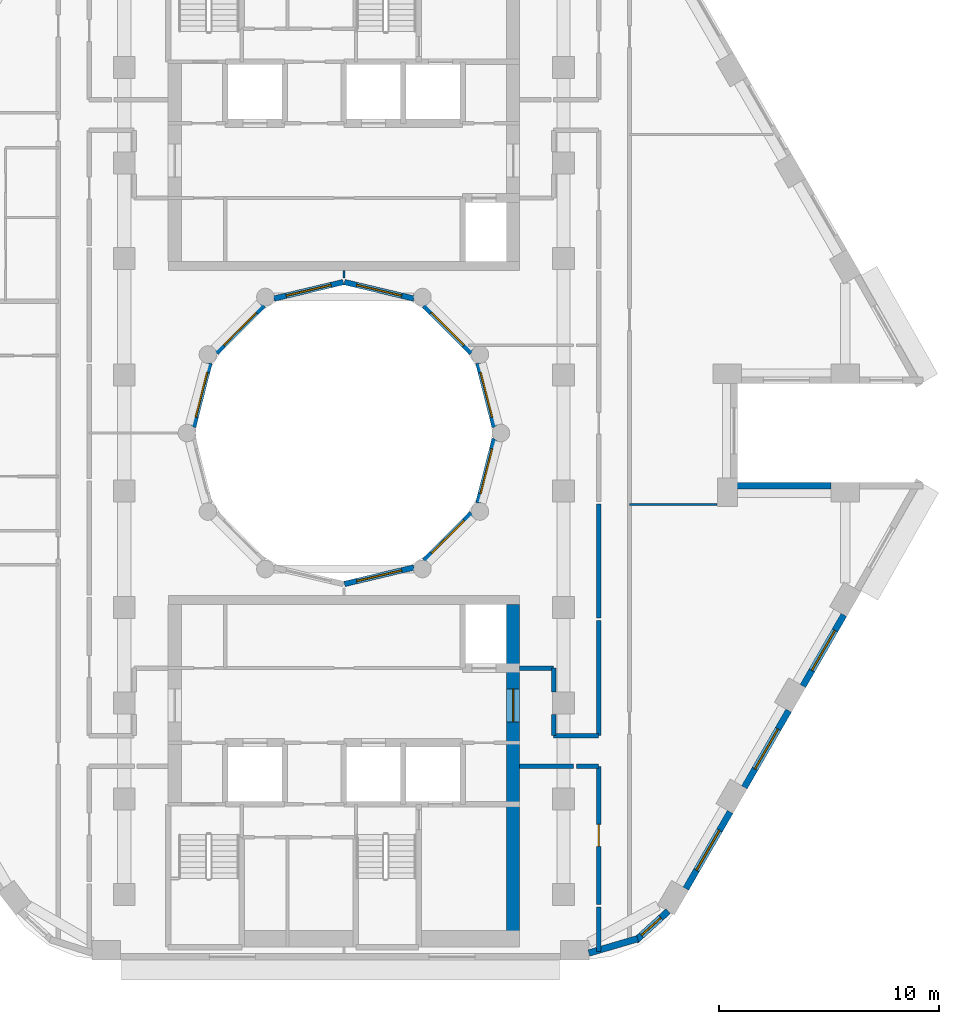
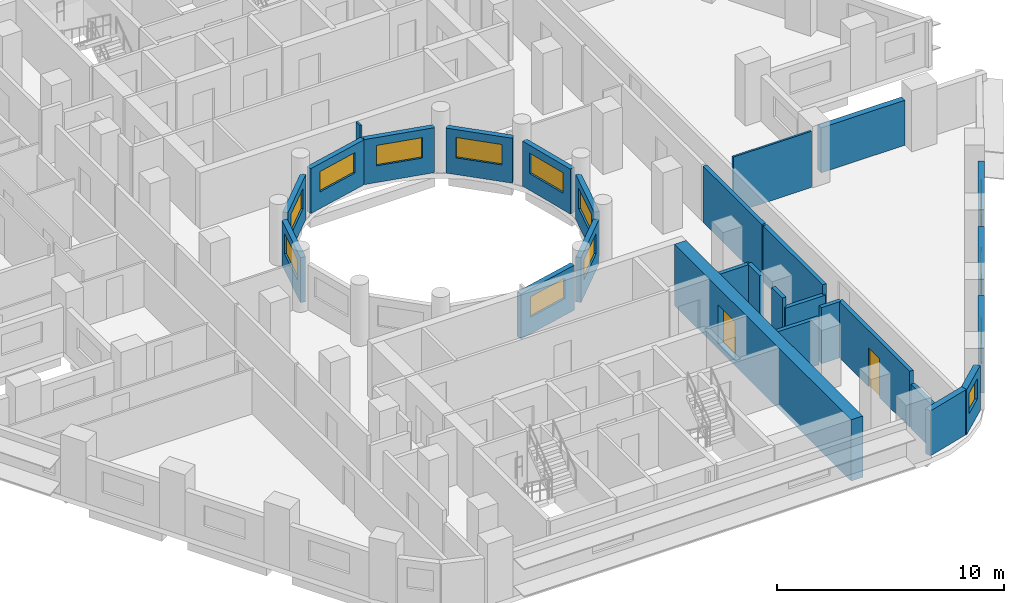
# One storey, part 5 of 13: 28 walls, 13 windows, 2 doors, 15 openings.
"""IFC4 building model written with IfcOpenShell, lengths in metres."""

import ifcopenshell
import ifcopenshell.guid

model = None  # the IFC model being written
_history = None  # IfcOwnerHistory: only IFC2X3 demands one
_inside = {}  # id of a spatial element -> (the spatial element, [elements in it])
_under = {}  # id of a project, library or spatial element -> (it, [spatial elements below it])
_declared = {}  # id of a project -> (the project, [libraries it declares])
_typed = {}  # id of a type object -> (the type object, [elements of that type])
_made_of = {}  # id of a material, layer set ... -> (it, [elements and type objects made of it])


def new_model(schema):
    """Start an empty IFC model of exactly this schema.

    Asked for "IFC4X3", IfcOpenShell would pick the latest addendum, in which some entities
    have other attributes; the version numbers below select the first issue.
    IFC2X3 requires an IfcOwnerHistory on every rooted entity: one is made here for all.
    """
    global model, _history
    if schema == "IFC4X3":
        model = ifcopenshell.file(schema_version=(4, 3, 0, 0))
    else:
        model = ifcopenshell.file(schema=schema)
    _inside.clear()
    _under.clear()
    _declared.clear()
    _typed.clear()
    _made_of.clear()
    _history = None
    if model.schema == "IFC2X3":
        org = make("IfcOrganization", Name="unknown")
        user = make(
            "IfcPersonAndOrganization",
            ThePerson=make("IfcPerson", FamilyName="unknown"),
            TheOrganization=org,
        )
        app = make(
            "IfcApplication",
            ApplicationDeveloper=org,
            Version="unknown",
            ApplicationFullName="unknown",
            ApplicationIdentifier="unknown",
        )
        _history = make(
            "IfcOwnerHistory",
            OwningUser=user,
            OwningApplication=app,
            ChangeAction="ADDED",
            CreationDate=0,
        )
    return model


def make(cls, **values):
    """One entity of the class cls with the attributes given. An attribute that is None is left unset."""
    return model.create_entity(
        cls, **{name: value for name, value in values.items() if value is not None}
    )


def rooted(cls, **values):
    """An entity with a GlobalId (a new one), such as an element, a storey or a relation."""
    return make(cls, GlobalId=ifcopenshell.guid.new(), OwnerHistory=_history, **values)


def si_unit(unit_type, name, prefix=None):
    """IfcSIUnit, for example si_unit("LENGTHUNIT", "METRE", prefix="MILLI")."""
    return make("IfcSIUnit", UnitType=unit_type, Prefix=prefix, Name=name)


def assignment(units):
    """IfcUnitAssignment: the units of a project."""
    return None if units is None else make("IfcUnitAssignment", Units=units)


def point(xyz):
    """IfcCartesianPoint."""
    return None if xyz is None else make("IfcCartesianPoint", Coordinates=xyz)


def direction(xyz):
    """IfcDirection."""
    return None if xyz is None else make("IfcDirection", DirectionRatios=xyz)


def frame(location, z_axis=None, x_axis=None):
    """IfcAxis2Placement3D, a coordinate frame: its origin and axes. An axis left out is left unset."""
    return make(
        "IfcAxis2Placement3D",
        Location=point(location),
        Axis=direction(z_axis),
        RefDirection=direction(x_axis),
    )


def frame_2d(location, x_axis=None):
    """IfcAxis2Placement2D, a coordinate frame in the plane: its origin and x axis."""
    return make(
        "IfcAxis2Placement2D", Location=point(location), RefDirection=direction(x_axis)
    )


def origin():
    """The frame at (0, 0, 0) with its axes left unset."""
    return frame((0.0, 0.0, 0.0))


def place(relative_to, where):
    """IfcLocalPlacement: puts the frame where relative to a parent placement (None: the world)."""
    return make(
        "IfcLocalPlacement", PlacementRelTo=relative_to, RelativePlacement=where
    )


def context(
    kind, dimensions, precision=None, world=None, true_north=None, identifier=None
):
    """IfcGeometricRepresentationContext, for example the 3D "Model" context."""
    return make(
        "IfcGeometricRepresentationContext",
        ContextIdentifier=identifier,
        ContextType=kind,
        CoordinateSpaceDimension=dimensions,
        Precision=precision,
        WorldCoordinateSystem=world,
        TrueNorth=true_north,
    )


def subcontext(parent, identifier, kind, view, scale=None):
    """IfcGeometricRepresentationSubContext, for example "Body" below "Model"."""
    return make(
        "IfcGeometricRepresentationSubContext",
        ContextIdentifier=identifier,
        ContextType=kind,
        ParentContext=parent,
        TargetScale=scale,
        TargetView=view,
    )


def project(units=None, contexts=None):
    """IfcProject with its units and contexts."""
    return rooted(
        "IfcProject",
        Name="project",
        RepresentationContexts=contexts,
        UnitsInContext=assignment(units),
    )


def spatial(cls, under=None, at=None, **own):
    """A site, building, storey or space (cls), placed at a placement, below another one or the project."""
    s = rooted(cls, ObjectPlacement=at, **own)
    if under is not None:
        _under.setdefault(under.id(), (under, []))[1].append(s)
    return s


def profile(cls, at=None, kind="AREA", **sizes):
    """A parametric profile (cls). Its sizes go by their IFC names, for example OverallWidth=200.0."""
    return make(cls, ProfileType=kind, Position=at, **sizes)


def rectangle(**sizes):
    """IfcRectangleProfileDef."""
    return profile("IfcRectangleProfileDef", **sizes)


def extrude(swept, where, along, depth):
    """IfcExtrudedAreaSolid: the profile swept, set in the frame where, extruded along a direction by depth."""
    return make(
        "IfcExtrudedAreaSolid",
        SweptArea=swept,
        Position=where,
        ExtrudedDirection=direction(along),
        Depth=depth,
    )


def shape(context_of_items, identifier, shape_type, items):
    """IfcShapeRepresentation: the items that make up one representation, for example the "Body"."""
    return make(
        "IfcShapeRepresentation",
        ContextOfItems=context_of_items,
        RepresentationIdentifier=identifier,
        RepresentationType=shape_type,
        Items=items,
    )


def material(Name=None, Category=None):
    """IfcMaterial."""
    return make("IfcMaterial", Name=Name, Category=Category)


def layer(
    of_material, thickness, ventilated=None, Name=None, Category=None, Priority=None
):
    """IfcMaterialLayer: one layer of a wall or slab, of a material (None: an air gap)."""
    return make(
        "IfcMaterialLayer",
        Material=of_material,
        LayerThickness=thickness,
        IsVentilated=ventilated,
        Name=Name,
        Category=Category,
        Priority=Priority,
    )


def layer_set(layers, Name=None):
    """IfcMaterialLayerSet."""
    return make("IfcMaterialLayerSet", MaterialLayers=layers, LayerSetName=Name)


def made_of(thing, what):
    """Note that an element or type object is made of a material, layer set ...; save() writes the relation."""
    if what is not None:
        _made_of.setdefault(what.id(), (what, []))[1].append(thing)
    return thing


def type_object(cls, material=None, **own):
    """A type object (cls), such as IfcWallType, which elements share."""
    return made_of(rooted(cls, **own), material)


def element(
    cls,
    number,
    at=None,
    inside=None,
    cuts=None,
    type_object=None,
    material=None,
    context=None,
    identifier="Body",
    shape_type=None,
    held_by="IfcProductDefinitionShape",
    body=None,
    shapes=None,
    **own,
):
    """One element of the class cls, such as IfcWall. Its Tag is "e" and its number.

    at: its placement. inside: the storey or other place that contains it. cuts: it is an
    opening in that element (IfcRelVoidsElement). A single representation is given by context,
    identifier, shape_type and body (its items); several are given by shapes. held_by: the class
    of the entity that holds the representations. save() writes the other relations.
    """
    e = rooted(cls, Tag="e%d" % number, ObjectPlacement=at, **own)
    if body is not None:
        shapes = [shape(context, identifier, shape_type, body)]
    if shapes is not None:
        e.Representation = make(held_by, Representations=shapes)
    if inside is not None:
        _inside.setdefault(inside.id(), (inside, []))[1].append(e)
    if cuts is not None:
        rooted(
            "IfcRelVoidsElement", RelatingBuildingElement=cuts, RelatedOpeningElement=e
        )
    if type_object is not None:
        _typed.setdefault(type_object.id(), (type_object, []))[1].append(e)
    return made_of(e, material)


def fill(opening, filler):
    """IfcRelFillsElement: the door or window that sits in an opening."""
    return rooted(
        "IfcRelFillsElement",
        RelatingOpeningElement=opening,
        RelatedBuildingElement=filler,
    )


def aggregate(whole, parts):
    """IfcRelAggregates: a whole, such as a stair, and the parts it consists of."""
    return rooted("IfcRelAggregates", RelatingObject=whole, RelatedObjects=parts)


def save(model, path):
    """Write the relations noted so far, then the file.

    IfcRelAggregates (storeys below a building ...), IfcRelContainedInSpatialStructure (elements
    in a storey), IfcRelDefinesByType, IfcRelAssociatesMaterial and IfcRelDeclares: one each for
    every whole, place, type object, material and project.
    """
    for whole, parts in _under.values():
        aggregate(whole, parts)
    for where, things in _inside.values():
        rooted(
            "IfcRelContainedInSpatialStructure",
            RelatedElements=things,
            RelatingStructure=where,
        )
    for kind, things in _typed.values():
        rooted("IfcRelDefinesByType", RelatedObjects=things, RelatingType=kind)
    for what, things in _made_of.values():
        rooted("IfcRelAssociatesMaterial", RelatedObjects=things, RelatingMaterial=what)
    for by, libraries in _declared.values():
        rooted("IfcRelDeclares", RelatingContext=by, RelatedDefinitions=libraries)
    model.write(path)


model = new_model("IFC4")

# Units and contexts
model_context = context("Model", 3, precision=1e-05, world=origin(), true_north=direction((0.0, 1.0)))
body_context = subcontext(model_context, "Body", "Model", "MODEL_VIEW")
ifc_project = project(units=[si_unit("LENGTHUNIT", "METRE"), si_unit("AREAUNIT", "SQUARE_METRE"), si_unit("VOLUMEUNIT", "CUBIC_METRE"), si_unit("PLANEANGLEUNIT", "RADIAN"), si_unit("MASSUNIT", "GRAM", prefix="KILO")], contexts=[model_context])

# Site, building, storey
site_placement = place(None, origin())
site = spatial("IfcSite", under=ifc_project, at=site_placement, CompositionType="ELEMENT")
building_placement = place(site_placement, origin())
building = spatial("IfcBuilding", under=site, at=building_placement, Name="Nakaniwa Court", CompositionType="ELEMENT")
storey_placement = place(building_placement, frame((0.0, 0.0, 137.10009765625)))
storey = spatial("IfcBuildingStorey", under=building, at=storey_placement, Name="L35", CompositionType="ELEMENT", Elevation=137.10009765625)

# Wall
ifc_material_1 = material(Name="Acoustic double stud partition")
ifc_layer_1 = layer(ifc_material_1, 0.199951171875)
ifc_layer_set_1 = layer_set([ifc_layer_1], Name="Acoustic double stud partition")
wall_type_1 = type_object("IfcWallType", Name="Acoustic double stud partition 200", PredefinedType="PARTITIONING", material=ifc_layer_set_1)
wall_1_placement = place(storey_placement, frame((91.60009765625, 56.40087890625, 0.0), z_axis=(0.0, 0.0, 1.0), x_axis=(0.0, 1.0, 0.0)))
element("IfcWall", 1, at=wall_1_placement, inside=storey, type_object=wall_type_1, Name="Partition PW-065", PredefinedType="PARTITIONING", context=body_context, shape_type="SweptSolid", body=[
    extrude(rectangle(XDim=2.02197265625, YDim=0.199951171875, at=frame_2d((1.010986328125, 0.0))), origin(), (0.0, 0.0, 1.0), 2.40478515625),
])

# Wall, opening, door
wall_2_placement = place(storey_placement, frame((91.60009765625, 58.537109375, 0.0), z_axis=(0.0, 0.0, 1.0), x_axis=(0.0, 1.0, 0.0)))
wall_2 = element("IfcWall", 2, at=wall_2_placement, inside=storey, type_object=wall_type_1, Name="Partition PW-066", PredefinedType="PARTITIONING", context=body_context, shape_type="SweptSolid", body=[
    extrude(rectangle(XDim=6.287841796875, YDim=0.199951171875, at=frame_2d((3.14404296875, 0.0))), origin(), (0.0, 0.0, 1.0), 3.02490234375),
])
opening_1_placement = place(wall_2_placement, frame((2.64501953125, 0.0, 0.0)))
opening_1 = element("IfcOpeningElement", 3, at=opening_1_placement, cuts=wall_2, Name="Opening D-02-01", PredefinedType="OPENING", context=body_context, shape_type="SweptSolid", body=[
    extrude(rectangle(XDim=1.0, YDim=2.10009765625, at=frame_2d((0.5, 1.050048828125))), frame((0.0, 0.10986328125, 0.0), z_axis=(0.0, -1.0, 0.0), x_axis=(1.0, 0.0, 0.0)), (0.0, 0.0, 1.0), 0.219970703125),
])
ifc_material_2 = material(Name="Solid core timber door set, black veneer", Category="wood")
door_type_1 = type_object("IfcDoorType", Name="Internal door 1000", OperationType="NOTDEFINED", PredefinedType="DOOR", material=ifc_material_2)
door_1_placement = place(opening_1_placement, origin())
door_1 = element("IfcDoor", 4, at=door_1_placement, inside=storey, type_object=door_type_1, Name="Door D-02-01 L35-021", OperationType="SINGLE_SWING_RIGHT", OverallHeight=2.10009765625, OverallWidth=1.0, PredefinedType="DOOR", context=body_context, shape_type="SweptSolid", body=[
    extrude(rectangle(XDim=1.0, YDim=2.10009765625, at=frame_2d((0.5, 1.050048828125))), frame((0.0, 0.02490234375, 0.0), z_axis=(0.0, -1.0, 0.0), x_axis=(1.0, 0.0, 0.0)), (0.0, 0.0, 1.0), 0.050048828125),
])
fill(opening_1, door_1)

# Walls
wall_3_placement = place(storey_placement, frame((91.60009765625, 66.22509765625, 0.0), z_axis=(0.0, 0.0, 1.0), x_axis=(0.0, 1.0, 0.0)))
element("IfcWall", 5, at=wall_3_placement, inside=storey, type_object=wall_type_1, Name="Partition PW-067", PredefinedType="PARTITIONING", context=body_context, shape_type="SweptSolid", body=[
    extrude(rectangle(XDim=5.247802734375, YDim=0.199951171875, at=frame_2d((2.6240234375, 0.0))), origin(), (0.0, 0.0, 1.0), 3.02490234375),
])
wall_4_placement = place(storey_placement, frame((91.60009765625, 71.587158203125, 0.0), z_axis=(0.0, 0.0, 1.0), x_axis=(0.0, 1.0, 0.0)))
element("IfcWall", 6, at=wall_4_placement, inside=storey, type_object=wall_type_1, Name="Partition PW-068", PredefinedType="PARTITIONING", context=body_context, shape_type="SweptSolid", body=[
    extrude(rectangle(XDim=5.185546875, YDim=0.199951171875, at=frame_2d((2.5927734375, 0.0))), origin(), (0.0, 0.0, 1.0), 3.02490234375),
])
wall_5_placement = place(storey_placement, frame((88.0, 64.824951171875, 0.0), z_axis=(0.0, 0.0, 1.0), x_axis=(1.0, 0.0, 0.0)))
element("IfcWall", 7, at=wall_5_placement, inside=storey, type_object=wall_type_1, Name="Partition PW-075", PredefinedType="PARTITIONING", context=body_context, shape_type="SweptSolid", body=[
    extrude(rectangle(XDim=2.462890625, YDim=0.199951171875, at=frame_2d((1.2314453125, 0.0))), origin(), (0.0, 0.0, 1.0), 2.5048828125),
])
wall_6_placement = place(storey_placement, frame((90.5771484375, 64.824951171875, 0.0), z_axis=(0.0, 0.0, 1.0), x_axis=(1.0, 0.0, 0.0)))
element("IfcWall", 8, at=wall_6_placement, inside=storey, type_object=wall_type_1, Name="Partition PW-076", PredefinedType="PARTITIONING", context=body_context, shape_type="SweptSolid", body=[
    extrude(rectangle(XDim=1.02294921875, YDim=0.199951171875, at=frame_2d((0.511474609375, 0.0))), origin(), (0.0, 0.0, 1.0), 3.02490234375),
])
wall_7_placement = place(storey_placement, frame((88.0, 69.300048828125, 0.0), z_axis=(0.0, 0.0, 1.0), x_axis=(1.0, 0.0, 0.0)))
element("IfcWall", 9, at=wall_7_placement, inside=storey, type_object=wall_type_1, Name="Partition PW-079", PredefinedType="PARTITIONING", context=body_context, shape_type="SweptSolid", body=[
    extrude(rectangle(XDim=1.550048828125, YDim=0.199951171875, at=frame_2d((0.77490234375, 0.0))), origin(), (0.0, 0.0, 1.0), 3.02490234375),
])
wall_8_placement = place(storey_placement, frame((89.550048828125, 66.22509765625, 0.0), z_axis=(0.0, 0.0, 1.0), x_axis=(0.0, 1.0, 0.0)))
element("IfcWall", 10, at=wall_8_placement, inside=storey, type_object=wall_type_1, Name="Partition PW-080", PredefinedType="PARTITIONING", context=body_context, shape_type="SweptSolid", body=[
    extrude(rectangle(XDim=0.957763671875, YDim=0.199951171875, at=frame_2d((0.47900390625, 0.0))), origin(), (0.0, 0.0, 1.0), 3.02490234375),
])
wall_9_placement = place(storey_placement, frame((89.550048828125, 68.21728515625, 0.0), z_axis=(0.0, 0.0, 1.0), x_axis=(0.0, 1.0, 0.0)))
element("IfcWall", 11, at=wall_9_placement, inside=storey, type_object=wall_type_1, Name="Partition PW-081", PredefinedType="PARTITIONING", context=body_context, shape_type="SweptSolid", body=[
    extrude(rectangle(XDim=1.082763671875, YDim=0.199951171875, at=frame_2d((0.54150390625, 0.0))), origin(), (0.0, 0.0, 1.0), 3.02490234375),
])
wall_10_placement = place(storey_placement, frame((89.550048828125, 66.22509765625, 0.0), z_axis=(0.0, 0.0, 1.0), x_axis=(1.0, 0.0, 0.0)))
element("IfcWall", 12, at=wall_10_placement, inside=storey, type_object=wall_type_1, Name="Partition PW-085", PredefinedType="PARTITIONING", context=body_context, shape_type="SweptSolid", body=[
    extrude(rectangle(XDim=2.050048828125, YDim=0.199951171875, at=frame_2d((1.02490234375, 0.0))), origin(), (0.0, 0.0, 1.0), 2.5048828125),
])
ifc_material_3 = material(Name="Charcoal ceramic cladding")
ifc_layer_2 = layer(ifc_material_3, 0.02, Name="Ceramic cladding")
ifc_material_4 = material(Name="Ventilated air cavity")
ifc_layer_3 = layer(ifc_material_4, 0.04, ventilated=True, Name="Ventilated cavity")
ifc_material_5 = material(Name="Mineral wool insulation")
ifc_layer_4 = layer(ifc_material_5, 0.1, Name="Insulation")
ifc_material_6 = material(Name="Cement bonded sheathing board")
ifc_layer_5 = layer(ifc_material_6, 0.012, Name="Sheathing")
ifc_material_7 = material(Name="Cold-formed galvanised stud frame with mineral wool infill")
ifc_layer_6 = layer(ifc_material_7, 0.1, Name="Stud frame")
ifc_material_8 = material(Name="Fire-rated gypsum plasterboard lining")
ifc_layer_7 = layer(ifc_material_8, 0.028, Name="Lining")
ifc_layer_set_2 = layer_set([ifc_layer_2, ifc_layer_3, ifc_layer_4, ifc_layer_5, ifc_layer_6, ifc_layer_7], Name="Charcoal ceramic faced external wall system")
wall_type_2 = type_object("IfcWallType", Name="Black ceramic faced external wall 300", PredefinedType="SOLIDWALL", material=ifc_layer_set_2)
wall_11_placement = place(storey_placement, frame((91.1533203125, 56.328125, 0.0), z_axis=(0.0, 0.0, 1.0), x_axis=(0.959473072336, 0.281800325517, 0.0)))
element("IfcWall", 13, at=wall_11_placement, inside=storey, type_object=wall_type_2, Name="L35 external wall 27", PredefinedType="SOLIDWALL", context=body_context, shape_type="SweptSolid", body=[
    extrude(rectangle(XDim=2.3115234375, YDim=0.300048828125, at=frame_2d((1.15576171875, 0.0))), origin(), (0.0, 0.0, 1.0), 2.4248046875),
])

# Wall, opening, window
wall_12_placement = place(storey_placement, frame((93.2783203125, 56.890380859375, 0.0), z_axis=(0.0, 0.0, 1.0), x_axis=(0.740652597499, 0.671888182526, 0.0)))
wall_12 = element("IfcWall", 14, at=wall_12_placement, inside=storey, type_object=wall_type_2, Name="L35 external wall 28", PredefinedType="SOLIDWALL", context=body_context, shape_type="SweptSolid", body=[
    extrude(rectangle(XDim=1.998779296875, YDim=0.300048828125, at=frame_2d((0.99951171875, 0.0))), origin(), (0.0, 0.0, 1.0), 2.4248046875),
])
opening_2_placement = place(wall_12_placement, frame((0.359619140625, 0.0, 0.89990234375)))
opening_2 = element("IfcOpeningElement", 15, at=opening_2_placement, cuts=wall_12, Name="Opening W6.29", PredefinedType="OPENING", context=body_context, shape_type="SweptSolid", body=[
    extrude(rectangle(XDim=1.199951171875, YDim=1.10009765625, at=frame_2d((0.60009765625, 0.550048828125))), frame((0.0, 0.159912109375, 0.0), z_axis=(0.0, -1.0, 0.0), x_axis=(1.0, 0.0, 0.0)), (0.0, 0.0, 1.0), 0.320068359375),
])
ifc_material_9 = material(Name="Black anodised aluminium frame with dark low-E laminated double glazing", Category="aluminium")
window_type_1 = type_object("IfcWindowType", Name="Dark glass window 1200x1100 sill 900", PartitioningType="SINGLE_PANEL", PredefinedType="WINDOW", material=ifc_material_9)
window_1_placement = place(opening_2_placement, origin())
window_1 = element("IfcWindow", 16, at=window_1_placement, inside=storey, type_object=window_type_1, Name="L35 habitable room window 28-0", OverallHeight=1.10009765625, OverallWidth=1.199951171875, PartitioningType="SINGLE_PANEL", PredefinedType="WINDOW", context=body_context, shape_type="SweptSolid", body=[
    extrude(rectangle(XDim=1.199951171875, YDim=1.10009765625, at=frame_2d((0.60009765625, 0.550048828125))), frame((0.0, 0.030029296875, 0.0), z_axis=(0.0, -1.0, 0.0), x_axis=(1.0, 0.0, 0.0)), (0.0, 0.0, 1.0), 0.06005859375),
])
fill(opening_2, window_1)

wall_13_placement = place(storey_placement, frame((95.565185546875, 59.260009765625, 0.0), z_axis=(0.0, 0.0, 1.0), x_axis=(0.500031546601, 0.86600718958, 0.0)))
wall_13 = element("IfcWall", 17, at=wall_13_placement, inside=storey, type_object=wall_type_2, Name="L35 external wall 29", PredefinedType="SOLIDWALL", context=body_context, shape_type="SweptSolid", body=[
    extrude(rectangle(XDim=4.033935546875, YDim=0.300048828125, at=frame_2d((2.01708984375, 0.0))), origin(), (0.0, 0.0, 1.0), 2.4248046875),
])
opening_3_placement = place(wall_13_placement, frame((0.967041015625, 0.0, 0.89990234375)))
opening_3 = element("IfcOpeningElement", 18, at=opening_3_placement, cuts=wall_13, Name="Opening W7.30", PredefinedType="OPENING", context=body_context, shape_type="SweptSolid", body=[
    extrude(rectangle(XDim=2.10009765625, YDim=1.10009765625, at=frame_2d((1.050048828125, 0.550048828125))), frame((0.0, 0.159912109375, 0.0), z_axis=(0.0, -1.0, 0.0), x_axis=(1.0, 0.0, 0.0)), (0.0, 0.0, 1.0), 0.320068359375),
])
window_type_2 = type_object("IfcWindowType", Name="Dark glass window 2100x1100 sill 900", PartitioningType="SINGLE_PANEL", PredefinedType="WINDOW", material=ifc_material_9)
window_2_placement = place(opening_3_placement, origin())
window_2 = element("IfcWindow", 19, at=window_2_placement, inside=storey, type_object=window_type_2, Name="L35 habitable room window 29-0", OverallHeight=1.10009765625, OverallWidth=2.10009765625, PartitioningType="SINGLE_PANEL", PredefinedType="WINDOW", context=body_context, shape_type="SweptSolid", body=[
    extrude(rectangle(XDim=2.10009765625, YDim=1.10009765625, at=frame_2d((1.050048828125, 0.550048828125))), frame((0.0, 0.030029296875, 0.0), z_axis=(0.0, -1.0, 0.0), x_axis=(1.0, 0.0, 0.0)), (0.0, 0.0, 1.0), 0.06005859375),
])
fill(opening_3, window_2)

wall_14_placement = place(storey_placement, frame((98.228271484375, 63.872314453125, 0.0), z_axis=(0.0, 0.0, 1.0), x_axis=(0.500031546601, 0.86600718958, 0.0)))
wall_14 = element("IfcWall", 20, at=wall_14_placement, inside=storey, type_object=wall_type_2, Name="L35 external wall 30", PredefinedType="SOLIDWALL", context=body_context, shape_type="SweptSolid", body=[
    extrude(rectangle(XDim=4.033935546875, YDim=0.300048828125, at=frame_2d((2.01708984375, 0.0))), origin(), (0.0, 0.0, 1.0), 2.4248046875),
])
opening_4_placement = place(wall_14_placement, frame((0.966796875, 0.0, 0.89990234375)))
opening_4 = element("IfcOpeningElement", 21, at=opening_4_placement, cuts=wall_14, Name="Opening W7.31", PredefinedType="OPENING", context=body_context, shape_type="SweptSolid", body=[
    extrude(rectangle(XDim=2.10009765625, YDim=1.10009765625, at=frame_2d((1.050048828125, 0.550048828125))), frame((0.0, 0.159912109375, 0.0), z_axis=(0.0, -1.0, 0.0), x_axis=(1.0, 0.0, 0.0)), (0.0, 0.0, 1.0), 0.320068359375),
])
window_3_placement = place(opening_4_placement, origin())
window_3 = element("IfcWindow", 22, at=window_3_placement, inside=storey, type_object=window_type_2, Name="L35 habitable room window 30-0", OverallHeight=1.10009765625, OverallWidth=2.10009765625, PartitioningType="SINGLE_PANEL", PredefinedType="WINDOW", context=body_context, shape_type="SweptSolid", body=[
    extrude(rectangle(XDim=2.10009765625, YDim=1.10009765625, at=frame_2d((1.050048828125, 0.550048828125))), frame((0.0, 0.030029296875, 0.0), z_axis=(0.0, -1.0, 0.0), x_axis=(1.0, 0.0, 0.0)), (0.0, 0.0, 1.0), 0.06005859375),
])
fill(opening_4, window_3)

wall_15_placement = place(storey_placement, frame((100.891357421875, 68.484619140625, 0.0), z_axis=(0.0, 0.0, 1.0), x_axis=(0.499933594891, 0.866063739398, 0.0)))
wall_15 = element("IfcWall", 23, at=wall_15_placement, inside=storey, type_object=wall_type_2, Name="L35 external wall 31", PredefinedType="SOLIDWALL", context=body_context, shape_type="SweptSolid", body=[
    extrude(rectangle(XDim=3.73681640625, YDim=0.300048828125, at=frame_2d((1.868408203125, 0.0))), origin(), (0.0, 0.0, 1.0), 2.4248046875),
])
opening_5_placement = place(wall_15_placement, frame((0.818359375, 0.0, 0.89990234375)))
opening_5 = element("IfcOpeningElement", 24, at=opening_5_placement, cuts=wall_15, Name="Opening W7.32", PredefinedType="OPENING", context=body_context, shape_type="SweptSolid", body=[
    extrude(rectangle(XDim=2.10009765625, YDim=1.10009765625, at=frame_2d((1.050048828125, 0.550048828125))), frame((0.0, 0.159912109375, 0.0), z_axis=(0.0, -1.0, 0.0), x_axis=(1.0, 0.0, 0.0)), (0.0, 0.0, 1.0), 0.320068359375),
])
window_4_placement = place(opening_5_placement, origin())
window_4 = element("IfcWindow", 25, at=window_4_placement, inside=storey, type_object=window_type_2, Name="L35 habitable room window 31-0", OverallHeight=1.10009765625, OverallWidth=2.10009765625, PartitioningType="SINGLE_PANEL", PredefinedType="WINDOW", context=body_context, shape_type="SweptSolid", body=[
    extrude(rectangle(XDim=2.10009765625, YDim=1.10009765625, at=frame_2d((1.050048828125, 0.550048828125))), frame((0.0, 0.030029296875, 0.0), z_axis=(0.0, -1.0, 0.0), x_axis=(1.0, 0.0, 0.0)), (0.0, 0.0, 1.0), 0.06005859375),
])
fill(opening_5, window_4)

# Wall
wall_16_placement = place(storey_placement, frame((102.177001953125, 77.60009765625, 0.0), z_axis=(0.0, 0.0, 1.0), x_axis=(-1.0, 0.0, 0.0)))
element("IfcWall", 26, at=wall_16_placement, inside=storey, type_object=wall_type_2, Name="L35 external wall 34", PredefinedType="SOLIDWALL", context=body_context, shape_type="SweptSolid", body=[
    extrude(rectangle(XDim=4.272705078125, YDim=0.300048828125, at=frame_2d((2.13623046875, 0.0))), origin(), (0.0, 0.0, 1.0), 2.4248046875),
])

# Wall, opening, window
ifc_layer_8 = layer(ifc_material_3, 0.02, Name="Ceramic cladding")
ifc_layer_9 = layer(ifc_material_4, 0.04, ventilated=True, Name="Ventilated cavity")
ifc_layer_10 = layer(ifc_material_5, 0.075, Name="Insulation")
ifc_layer_11 = layer(ifc_material_6, 0.012, Name="Sheathing")
ifc_layer_12 = layer(ifc_material_7, 0.075, Name="Stud frame")
ifc_layer_13 = layer(ifc_material_8, 0.028, Name="Lining")
ifc_layer_set_3 = layer_set([ifc_layer_8, ifc_layer_9, ifc_layer_10, ifc_layer_11, ifc_layer_12, ifc_layer_13], Name="Charcoal ceramic faced external wall system")
wall_type_3 = type_object("IfcWallType", Name="Charcoal ceramic faced well wall 250", PredefinedType="SOLIDWALL", material=ifc_layer_set_3)
wall_17_placement = place(storey_placement, frame((86.8603515625, 79.72998046875, 0.0), z_axis=(0.0, 0.0, 1.0), x_axis=(-0.247055971283, -0.969001211069, 0.0)))
wall_17 = element("IfcWall", 27, at=wall_17_placement, inside=storey, type_object=wall_type_3, Name="L35 external wall 36", PredefinedType="SOLIDWALL", context=body_context, shape_type="SweptSolid", body=[
    extrude(rectangle(XDim=3.010009765625, YDim=0.25, at=frame_2d((1.5048828125, 0.0))), origin(), (0.0, 0.0, 1.0), 2.4248046875),
])
opening_6_placement = place(wall_17_placement, frame((0.46875, 0.0, 0.89990234375)))
opening_6 = element("IfcOpeningElement", 28, at=opening_6_placement, cuts=wall_17, Name="Opening W7.35", PredefinedType="OPENING", context=body_context, shape_type="SweptSolid", body=[
    extrude(rectangle(XDim=2.10009765625, YDim=1.10009765625, at=frame_2d((1.050048828125, 0.550048828125))), frame((0.0, 0.135009765625, 0.0), z_axis=(0.0, -1.0, 0.0), x_axis=(1.0, 0.0, 0.0)), (0.0, 0.0, 1.0), 0.27001953125),
])
window_5_placement = place(opening_6_placement, origin())
window_5 = element("IfcWindow", 29, at=window_5_placement, inside=storey, type_object=window_type_2, Name="L35 habitable room window 36-0", OverallHeight=1.10009765625, OverallWidth=2.10009765625, PartitioningType="SINGLE_PANEL", PredefinedType="WINDOW", context=body_context, shape_type="SweptSolid", body=[
    extrude(rectangle(XDim=2.10009765625, YDim=1.10009765625, at=frame_2d((1.050048828125, 0.550048828125))), frame((0.0, 0.030029296875, 0.0), z_axis=(0.0, -1.0, 0.0), x_axis=(1.0, 0.0, 0.0)), (0.0, 0.0, 1.0), 0.06005859375),
])
fill(opening_6, window_5)

wall_18_placement = place(storey_placement, frame((85.8056640625, 76.339111328125, 0.0), z_axis=(0.0, 0.0, 1.0), x_axis=(-0.707106781187, -0.707106781187, 0.0)))
wall_18 = element("IfcWall", 30, at=wall_18_placement, inside=storey, type_object=wall_type_3, Name="L35 external wall 37", PredefinedType="SOLIDWALL", context=body_context, shape_type="SweptSolid", body=[
    extrude(rectangle(XDim=3.033203125, YDim=0.25, at=frame_2d((1.5166015625, 0.0))), origin(), (0.0, 0.0, 1.0), 2.4248046875),
])
opening_7_placement = place(wall_18_placement, frame((0.466552734375, 0.0, 0.89990234375)))
opening_7 = element("IfcOpeningElement", 31, at=opening_7_placement, cuts=wall_18, Name="Opening W7.36", PredefinedType="OPENING", context=body_context, shape_type="SweptSolid", body=[
    extrude(rectangle(XDim=2.10009765625, YDim=1.10009765625, at=frame_2d((1.050048828125, 0.550048828125))), frame((0.0, 0.135009765625, 0.0), z_axis=(0.0, -1.0, 0.0), x_axis=(1.0, 0.0, 0.0)), (0.0, 0.0, 1.0), 0.27001953125),
])
window_6_placement = place(opening_7_placement, origin())
window_6 = element("IfcWindow", 32, at=window_6_placement, inside=storey, type_object=window_type_2, Name="L35 habitable room window 37-0", OverallHeight=1.10009765625, OverallWidth=2.10009765625, PartitioningType="SINGLE_PANEL", PredefinedType="WINDOW", context=body_context, shape_type="SweptSolid", body=[
    extrude(rectangle(XDim=2.10009765625, YDim=1.10009765625, at=frame_2d((1.050048828125, 0.550048828125))), frame((0.0, 0.030029296875, 0.0), z_axis=(0.0, -1.0, 0.0), x_axis=(1.0, 0.0, 0.0)), (0.0, 0.0, 1.0), 0.06005859375),
])
fill(opening_7, window_6)

wall_19_placement = place(storey_placement, frame((83.186279296875, 73.880615234375, 0.0), z_axis=(0.0, 0.0, 1.0), x_axis=(-0.972773113459, -0.231759508395, 0.0)))
wall_19 = element("IfcWall", 33, at=wall_19_placement, inside=storey, type_object=wall_type_3, Name="L35 external wall 38", PredefinedType="SOLIDWALL", context=body_context, shape_type="SweptSolid", body=[
    extrude(rectangle(XDim=3.24560546875, YDim=0.25, at=frame_2d((1.622802734375, 0.0))), origin(), (0.0, 0.0, 1.0), 2.4248046875),
])
opening_8_placement = place(wall_19_placement, frame((0.57275390625, 0.0, 0.89990234375)))
opening_8 = element("IfcOpeningElement", 34, at=opening_8_placement, cuts=wall_19, Name="Opening W7.37", PredefinedType="OPENING", context=body_context, shape_type="SweptSolid", body=[
    extrude(rectangle(XDim=2.10009765625, YDim=1.10009765625, at=frame_2d((1.050048828125, 0.550048828125))), frame((0.0, 0.135009765625, 0.0), z_axis=(0.0, -1.0, 0.0), x_axis=(1.0, 0.0, 0.0)), (0.0, 0.0, 1.0), 0.27001953125),
])
window_7_placement = place(opening_8_placement, origin())
window_7 = element("IfcWindow", 35, at=window_7_placement, inside=storey, type_object=window_type_2, Name="L35 habitable room window 38-0", OverallHeight=1.10009765625, OverallWidth=2.10009765625, PartitioningType="SINGLE_PANEL", PredefinedType="WINDOW", context=body_context, shape_type="SweptSolid", body=[
    extrude(rectangle(XDim=2.10009765625, YDim=1.10009765625, at=frame_2d((1.050048828125, 0.550048828125))), frame((0.0, 0.030029296875, 0.0), z_axis=(0.0, -1.0, 0.0), x_axis=(1.0, 0.0, 0.0)), (0.0, 0.0, 1.0), 0.06005859375),
])
fill(opening_8, window_7)

wall_20_placement = place(storey_placement, frame((73.1396484375, 80.27001953125, 0.0), z_axis=(0.0, 0.0, 1.0), x_axis=(0.247055971283, 0.969001211069, 0.0)))
wall_20 = element("IfcWall", 36, at=wall_20_placement, inside=storey, type_object=wall_type_3, Name="L35 external wall 42", PredefinedType="SOLIDWALL", context=body_context, shape_type="SweptSolid", body=[
    extrude(rectangle(XDim=3.010009765625, YDim=0.25, at=frame_2d((1.5048828125, 0.0))), origin(), (0.0, 0.0, 1.0), 2.4248046875),
])
opening_9_placement = place(wall_20_placement, frame((0.46875, 0.0, 0.89990234375)))
opening_9 = element("IfcOpeningElement", 37, at=opening_9_placement, cuts=wall_20, Name="Opening W7.41", PredefinedType="OPENING", context=body_context, shape_type="SweptSolid", body=[
    extrude(rectangle(XDim=2.10009765625, YDim=1.10009765625, at=frame_2d((1.050048828125, 0.550048828125))), frame((0.0, 0.135009765625, 0.0), z_axis=(0.0, -1.0, 0.0), x_axis=(1.0, 0.0, 0.0)), (0.0, 0.0, 1.0), 0.27001953125),
])
window_8_placement = place(opening_9_placement, origin())
window_8 = element("IfcWindow", 38, at=window_8_placement, inside=storey, type_object=window_type_2, Name="L35 habitable room window 42-0", OverallHeight=1.10009765625, OverallWidth=2.10009765625, PartitioningType="SINGLE_PANEL", PredefinedType="WINDOW", context=body_context, shape_type="SweptSolid", body=[
    extrude(rectangle(XDim=2.10009765625, YDim=1.10009765625, at=frame_2d((1.050048828125, 0.550048828125))), frame((0.0, 0.030029296875, 0.0), z_axis=(0.0, -1.0, 0.0), x_axis=(1.0, 0.0, 0.0)), (0.0, 0.0, 1.0), 0.06005859375),
])
fill(opening_9, window_8)

wall_21_placement = place(storey_placement, frame((74.1943359375, 83.660888671875, 0.0), z_axis=(0.0, 0.0, 1.0), x_axis=(0.707106781187, 0.707106781187, 0.0)))
wall_21 = element("IfcWall", 39, at=wall_21_placement, inside=storey, type_object=wall_type_3, Name="L35 external wall 43", PredefinedType="SOLIDWALL", context=body_context, shape_type="SweptSolid", body=[
    extrude(rectangle(XDim=3.033203125, YDim=0.25, at=frame_2d((1.5166015625, 0.0))), origin(), (0.0, 0.0, 1.0), 2.4248046875),
])
opening_10_placement = place(wall_21_placement, frame((0.466552734375, 0.0, 0.89990234375)))
opening_10 = element("IfcOpeningElement", 40, at=opening_10_placement, cuts=wall_21, Name="Opening W7.42", PredefinedType="OPENING", context=body_context, shape_type="SweptSolid", body=[
    extrude(rectangle(XDim=2.10009765625, YDim=1.10009765625, at=frame_2d((1.050048828125, 0.550048828125))), frame((0.0, 0.135009765625, 0.0), z_axis=(0.0, -1.0, 0.0), x_axis=(1.0, 0.0, 0.0)), (0.0, 0.0, 1.0), 0.27001953125),
])
window_9_placement = place(opening_10_placement, origin())
window_9 = element("IfcWindow", 41, at=window_9_placement, inside=storey, type_object=window_type_2, Name="L35 habitable room window 43-0", OverallHeight=1.10009765625, OverallWidth=2.10009765625, PartitioningType="SINGLE_PANEL", PredefinedType="WINDOW", context=body_context, shape_type="SweptSolid", body=[
    extrude(rectangle(XDim=2.10009765625, YDim=1.10009765625, at=frame_2d((1.050048828125, 0.550048828125))), frame((0.0, 0.030029296875, 0.0), z_axis=(0.0, -1.0, 0.0), x_axis=(1.0, 0.0, 0.0)), (0.0, 0.0, 1.0), 0.06005859375),
])
fill(opening_10, window_9)

wall_22_placement = place(storey_placement, frame((76.813720703125, 86.119384765625, 0.0), z_axis=(0.0, 0.0, 1.0), x_axis=(0.972773113459, 0.231759508395, 0.0)))
wall_22 = element("IfcWall", 42, at=wall_22_placement, inside=storey, type_object=wall_type_3, Name="L35 external wall 44", PredefinedType="SOLIDWALL", context=body_context, shape_type="SweptSolid", body=[
    extrude(rectangle(XDim=3.24560546875, YDim=0.25, at=frame_2d((1.622802734375, 0.0))), origin(), (0.0, 0.0, 1.0), 2.4248046875),
])
opening_11_placement = place(wall_22_placement, frame((0.57275390625, 0.0, 0.89990234375)))
opening_11 = element("IfcOpeningElement", 43, at=opening_11_placement, cuts=wall_22, Name="Opening W7.43", PredefinedType="OPENING", context=body_context, shape_type="SweptSolid", body=[
    extrude(rectangle(XDim=2.10009765625, YDim=1.10009765625, at=frame_2d((1.050048828125, 0.550048828125))), frame((0.0, 0.135009765625, 0.0), z_axis=(0.0, -1.0, 0.0), x_axis=(1.0, 0.0, 0.0)), (0.0, 0.0, 1.0), 0.27001953125),
])
window_10_placement = place(opening_11_placement, origin())
window_10 = element("IfcWindow", 44, at=window_10_placement, inside=storey, type_object=window_type_2, Name="L35 habitable room window 44-0", OverallHeight=1.10009765625, OverallWidth=2.10009765625, PartitioningType="SINGLE_PANEL", PredefinedType="WINDOW", context=body_context, shape_type="SweptSolid", body=[
    extrude(rectangle(XDim=2.10009765625, YDim=1.10009765625, at=frame_2d((1.050048828125, 0.550048828125))), frame((0.0, 0.030029296875, 0.0), z_axis=(0.0, -1.0, 0.0), x_axis=(1.0, 0.0, 0.0)), (0.0, 0.0, 1.0), 0.06005859375),
])
fill(opening_11, window_10)

wall_23_placement = place(storey_placement, frame((80.029052734375, 86.87158203125, 0.0), z_axis=(0.0, 0.0, 1.0), x_axis=(0.972773113459, -0.231759508395, 0.0)))
wall_23 = element("IfcWall", 45, at=wall_23_placement, inside=storey, type_object=wall_type_3, Name="L35 external wall 45", PredefinedType="SOLIDWALL", context=body_context, shape_type="SweptSolid", body=[
    extrude(rectangle(XDim=3.24560546875, YDim=0.25, at=frame_2d((1.622802734375, 0.0))), origin(), (0.0, 0.0, 1.0), 2.4248046875),
])
opening_12_placement = place(wall_23_placement, frame((0.57275390625, 0.0, 0.89990234375)))
opening_12 = element("IfcOpeningElement", 46, at=opening_12_placement, cuts=wall_23, Name="Opening W7.44", PredefinedType="OPENING", context=body_context, shape_type="SweptSolid", body=[
    extrude(rectangle(XDim=2.10009765625, YDim=1.10009765625, at=frame_2d((1.050048828125, 0.550048828125))), frame((0.0, 0.135009765625, 0.0), z_axis=(0.0, -1.0, 0.0), x_axis=(1.0, 0.0, 0.0)), (0.0, 0.0, 1.0), 0.27001953125),
])
window_11_placement = place(opening_12_placement, origin())
window_11 = element("IfcWindow", 47, at=window_11_placement, inside=storey, type_object=window_type_2, Name="L35 habitable room window 45-0", OverallHeight=1.10009765625, OverallWidth=2.10009765625, PartitioningType="SINGLE_PANEL", PredefinedType="WINDOW", context=body_context, shape_type="SweptSolid", body=[
    extrude(rectangle(XDim=2.10009765625, YDim=1.10009765625, at=frame_2d((1.050048828125, 0.550048828125))), frame((0.0, 0.030029296875, 0.0), z_axis=(0.0, -1.0, 0.0), x_axis=(1.0, 0.0, 0.0)), (0.0, 0.0, 1.0), 0.06005859375),
])
fill(opening_12, window_11)

wall_24_placement = place(storey_placement, frame((83.660888671875, 85.8056640625, 0.0), z_axis=(0.0, 0.0, 1.0), x_axis=(0.707106781187, -0.707106781187, 0.0)))
wall_24 = element("IfcWall", 48, at=wall_24_placement, inside=storey, type_object=wall_type_3, Name="L35 external wall 46", PredefinedType="SOLIDWALL", context=body_context, shape_type="SweptSolid", body=[
    extrude(rectangle(XDim=3.033203125, YDim=0.25, at=frame_2d((1.5166015625, 0.0))), origin(), (0.0, 0.0, 1.0), 2.4248046875),
])
opening_13_placement = place(wall_24_placement, frame((0.452392578125, 0.0, 0.89990234375)))
opening_13 = element("IfcOpeningElement", 49, at=opening_13_placement, cuts=wall_24, Name="Opening W7.45", PredefinedType="OPENING", context=body_context, shape_type="SweptSolid", body=[
    extrude(rectangle(XDim=2.10009765625, YDim=1.10009765625, at=frame_2d((1.050048828125, 0.550048828125))), frame((0.0, 0.135009765625, 0.0), z_axis=(0.0, -1.0, 0.0), x_axis=(1.0, 0.0, 0.0)), (0.0, 0.0, 1.0), 0.27001953125),
])
window_12_placement = place(opening_13_placement, origin())
window_12 = element("IfcWindow", 50, at=window_12_placement, inside=storey, type_object=window_type_2, Name="L35 habitable room window 46-0", OverallHeight=1.10009765625, OverallWidth=2.10009765625, PartitioningType="SINGLE_PANEL", PredefinedType="WINDOW", context=body_context, shape_type="SweptSolid", body=[
    extrude(rectangle(XDim=2.10009765625, YDim=1.10009765625, at=frame_2d((1.050048828125, 0.550048828125))), frame((0.0, 0.030029296875, 0.0), z_axis=(0.0, -1.0, 0.0), x_axis=(1.0, 0.0, 0.0)), (0.0, 0.0, 1.0), 0.06005859375),
])
fill(opening_13, window_12)

wall_25_placement = place(storey_placement, frame((86.11669921875, 83.186767578125, 0.0), z_axis=(0.0, 0.0, 1.0), x_axis=(0.247055971283, -0.969001211069, 0.0)))
wall_25 = element("IfcWall", 51, at=wall_25_placement, inside=storey, type_object=wall_type_3, Name="L35 external wall 47", PredefinedType="SOLIDWALL", context=body_context, shape_type="SweptSolid", body=[
    extrude(rectangle(XDim=3.010009765625, YDim=0.25, at=frame_2d((1.5048828125, 0.0))), origin(), (0.0, 0.0, 1.0), 2.4248046875),
])
opening_14_placement = place(wall_25_placement, frame((0.441162109375, 0.0, 0.89990234375)))
opening_14 = element("IfcOpeningElement", 52, at=opening_14_placement, cuts=wall_25, Name="Opening W7.46", PredefinedType="OPENING", context=body_context, shape_type="SweptSolid", body=[
    extrude(rectangle(XDim=2.10009765625, YDim=1.10009765625, at=frame_2d((1.050048828125, 0.550048828125))), frame((0.0, 0.135009765625, 0.0), z_axis=(0.0, -1.0, 0.0), x_axis=(1.0, 0.0, 0.0)), (0.0, 0.0, 1.0), 0.27001953125),
])
window_13_placement = place(opening_14_placement, origin())
window_13 = element("IfcWindow", 53, at=window_13_placement, inside=storey, type_object=window_type_2, Name="L35 habitable room window 47-0", OverallHeight=1.10009765625, OverallWidth=2.10009765625, PartitioningType="SINGLE_PANEL", PredefinedType="WINDOW", context=body_context, shape_type="SweptSolid", body=[
    extrude(rectangle(XDim=2.10009765625, YDim=1.10009765625, at=frame_2d((1.050048828125, 0.550048828125))), frame((0.0, 0.030029296875, 0.0), z_axis=(0.0, -1.0, 0.0), x_axis=(1.0, 0.0, 0.0)), (0.0, 0.0, 1.0), 0.06005859375),
])
fill(opening_14, window_13)

# Wall, opening, door
ifc_material_10 = material(Name="Concrete C80/100", Category="concrete")
ifc_layer_14 = layer(ifc_material_10, 0.60009765625)
ifc_layer_set_4 = layer_set([ifc_layer_14], Name="Concrete C80/100")
wall_type_4 = type_object("IfcWallType", Name="Concrete core side wall 600 C80", PredefinedType="SHEAR", material=ifc_layer_set_4)
wall_26_placement = place(storey_placement, frame((87.699951171875, 72.199951171875, -0.275146484375), z_axis=(0.0, 0.0, 1.0), x_axis=(0.0, -1.0, 0.0)))
wall_26 = element("IfcWall", 54, at=wall_26_placement, inside=storey, type_object=wall_type_4, Name="Core wall SW-39", PredefinedType="SHEAR", context=body_context, shape_type="SweptSolid", body=[
    extrude(rectangle(XDim=15.599853515625, YDim=0.60009765625, at=frame_2d((7.7998046875, 0.0))), origin(), (0.0, 0.0, 1.0), 3.300048828125),
])
opening_15_placement = place(wall_26_placement, frame((3.85205078125, 0.0, 0.27490234375)))
opening_15 = element("IfcOpeningElement", 55, at=opening_15_placement, cuts=wall_26, Name="Opening D-07-03", PredefinedType="OPENING", context=body_context, shape_type="SweptSolid", body=[
    extrude(rectangle(XDim=1.5, YDim=2.10009765625, at=frame_2d((0.75, 1.050048828125))), frame((0.0, 0.31005859375, 0.0), z_axis=(0.0, -1.0, 0.0), x_axis=(1.0, 0.0, 0.0)), (0.0, 0.0, 1.0), 0.6201171875),
])
ifc_material_11 = material(Name="Glazed fire rated steel double door set", Category="steel")
door_type_2 = type_object("IfcDoorType", Name="Lobby double door 1500", OperationType="NOTDEFINED", PredefinedType="DOOR", material=ifc_material_11)
door_2_placement = place(opening_15_placement, origin())
door_2 = element("IfcDoor", 56, at=door_2_placement, inside=storey, type_object=door_type_2, Name="Door D-07-03 L35-045", OperationType="DOUBLE_DOOR_SINGLE_SWING", OverallHeight=2.10009765625, OverallWidth=1.5, PredefinedType="DOOR", context=body_context, shape_type="SweptSolid", body=[
    extrude(rectangle(XDim=1.5, YDim=2.10009765625, at=frame_2d((0.75, 1.050048828125))), frame((0.0, 0.02490234375, 0.0), z_axis=(0.0, -1.0, 0.0), x_axis=(1.0, 0.0, 0.0)), (0.0, 0.0, 1.0), 0.050048828125),
])
fill(opening_15, door_2)

# Walls
ifc_material_12 = material(Name="Single stud plasterboard partition")
ifc_layer_15 = layer(ifc_material_12, 0.10009765625)
ifc_layer_set_5 = layer_set([ifc_layer_15], Name="Single stud plasterboard partition")
wall_type_5 = type_object("IfcWallType", Name="Single stud plasterboard partition 100", PredefinedType="PARTITIONING", material=ifc_layer_set_5)
wall_27_placement = place(storey_placement, frame((80.0, 87.048095703125, 0.0), z_axis=(0.0, 0.0, 1.0), x_axis=(0.0, 1.0, 0.0)))
element("IfcWall", 57, at=wall_27_placement, inside=storey, type_object=wall_type_5, Name="Partition PW-110", PredefinedType="PARTITIONING", context=body_context, shape_type="SweptSolid", body=[
    extrude(rectangle(XDim=0.351806640625, YDim=0.10009765625, at=frame_2d((0.17578125, 0.0))), origin(), (0.0, 0.0, 1.0), 3.02490234375),
])
wall_28_placement = place(storey_placement, frame((93.0009765625, 76.75, 0.0), z_axis=(0.0, 0.0, 1.0), x_axis=(1.0, 0.0, 0.0)))
element("IfcWall", 58, at=wall_28_placement, inside=storey, type_object=wall_type_5, Name="Partition PW-112", PredefinedType="PARTITIONING", context=body_context, shape_type="SweptSolid", body=[
    extrude(rectangle(XDim=3.9873046875, YDim=0.10009765625, at=frame_2d((1.99365234375, 0.0))), origin(), (0.0, 0.0, 1.0), 3.02490234375),
])

save(model, "model.ifc")
